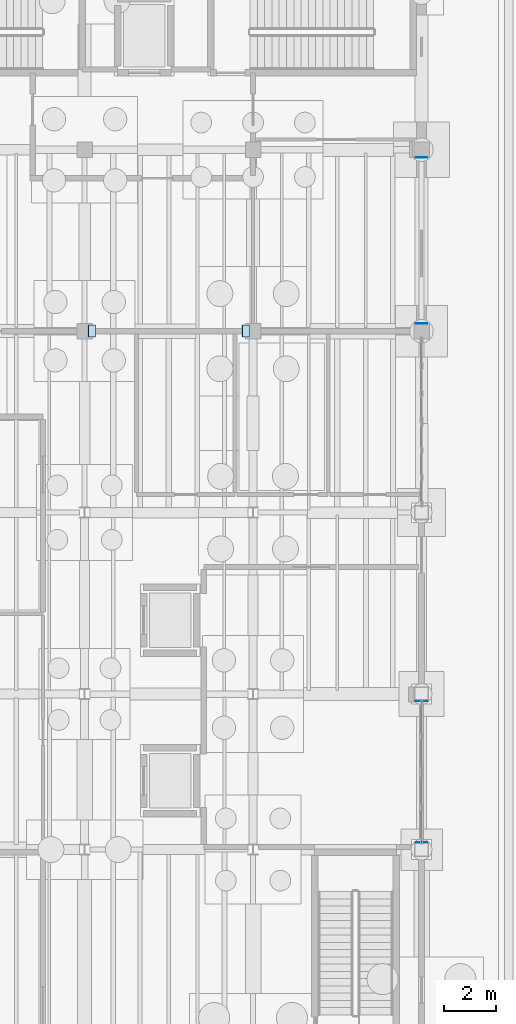
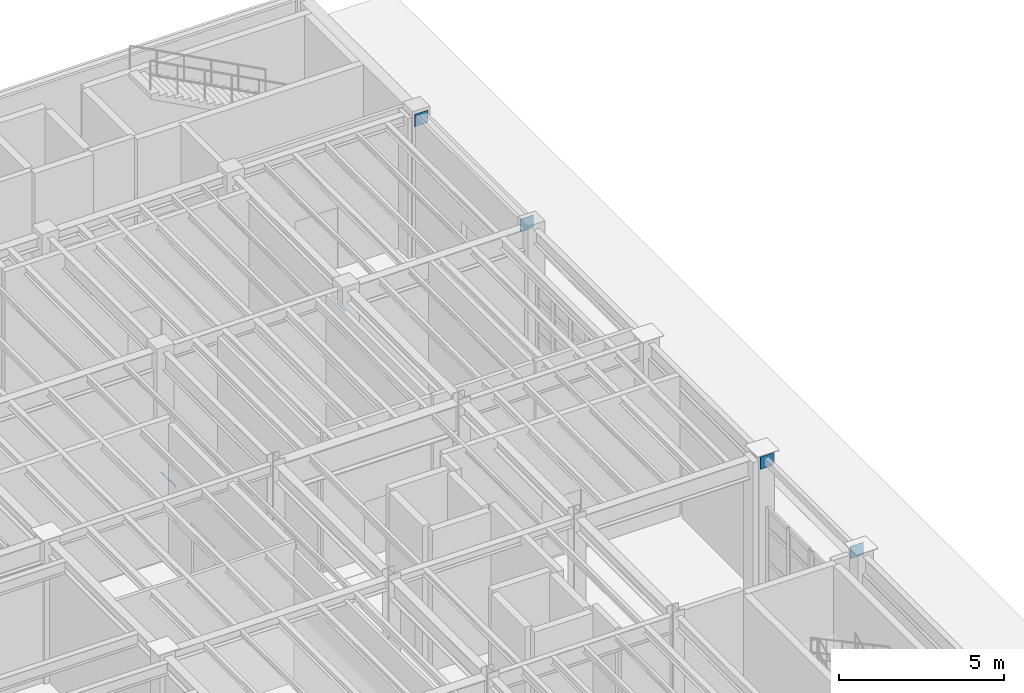
# One storey, part 57 of 86: 6 plates.
"""IFC4 building model written with IfcOpenShell, lengths in metres."""

from ifc_helpers import new_model, si_unit, direction, frame, origin, origin_2d, place, context, subcontext, project, spatial, rectangle, extrude, material, material_profile, profile_set, type_object, element, save


model = new_model("IFC4")

# Units and contexts
model_context = context("Model", 3, precision=1e-05, world=origin(), true_north=direction((0.0, 1.0)))
body_context = subcontext(model_context, "Body", "Model", "MODEL_VIEW")
ifc_project = project(units=[si_unit("LENGTHUNIT", "METRE"), si_unit("AREAUNIT", "SQUARE_METRE"), si_unit("VOLUMEUNIT", "CUBIC_METRE"), si_unit("PLANEANGLEUNIT", "RADIAN"), si_unit("MASSUNIT", "GRAM", prefix="KILO"), si_unit("THERMODYNAMICTEMPERATUREUNIT", "KELVIN"), si_unit("POWERUNIT", "WATT")], contexts=[model_context])

# Site, building, storey
site_placement = place(None, origin())
site = spatial("IfcSite", under=ifc_project, at=site_placement, CompositionType="ELEMENT")
building_placement = place(site_placement, origin())
building = spatial("IfcBuilding", under=site, at=building_placement, Name="Zhenchuan Central Fire Station", CompositionType="ELEMENT")
storey_placement = place(building_placement, frame((0.0, 0.0, 0.449951171875)))
storey = spatial("IfcBuildingStorey", under=building, at=storey_placement, Name="L01", CompositionType="ELEMENT", Elevation=0.449951171875)

# Plates
ifc_material = material(Name="Steel Q355B", Category="steel")
ifc_material_profile_1 = material_profile(ifc_material, rectangle(XDim=0.4599609375, YDim=0.4599609375, at=origin_2d()), Name="PL 460x460x28")
ifc_profile_set_1 = profile_set([ifc_material_profile_1], Name="Steel Q355B")
plate_type_1 = type_object("IfcPlateType", Name="PL-GUS28", PredefinedType="SHEET", material=ifc_profile_set_1)
for number, where, z_axis, x_axis, name in (
    (1, (161.0, 22.759033203125, 5.074951171875), (0.0, 1.0, 0.0), (-1.0, 0.0, 0.0), "L02 Girder NS 0178 end cap plate A"),
    (2, (161.0, 28.220947265625, 5.074951171875), (0.0, 1.0, 0.0), (-1.0, 0.0, 0.0), "L02 Girder NS 0178 end cap plate B"),
    (3, (161.0, 42.783935546875, 5.050048828125), (0.0, 1.0, 0.0), (-1.0, 0.0, 0.0), "L02 Girder NS 0181 end cap plate A"),
    (4, (161.0, 49.196044921875, 5.050048828125), (0.0, 1.0, 0.0), (-1.0, 0.0, 0.0), "L02 Girder NS 0181 end cap plate B"),
):
    element("IfcPlate", number, at=place(storey_placement, frame(where, z_axis=z_axis, x_axis=x_axis)), inside=storey, type_object=plate_type_1, Name=name, PredefinedType="SHEET", context=body_context, shape_type="SweptSolid", body=[
        extrude(rectangle(XDim=0.4599609375, YDim=0.4599609375, at=origin_2d()), origin(), (0.0, 0.0, 1.0), 0.02001953125),
    ])
ifc_material_profile_2 = material_profile(ifc_material, rectangle(XDim=0.4599609375, YDim=0.4599609375, at=origin_2d()), Name="PL 460x460x28")
ifc_profile_set_2 = profile_set([ifc_material_profile_2], Name="Steel Q355B")
plate_type_2 = type_object("IfcPlateType", Name="PL-GUS28-INT", PredefinedType="SHEET", material=ifc_profile_set_2)
for number, where, z_axis, x_axis, name in (
    (5, (148.26513671875, 42.5, 0.1904296875), (0.802910201746, 0.0, 0.596099998266), (0.0, 1.0, 0.0), "Interior Frame Lateral Brace 06 end cap plate A"),
    (6, (154.21875, 42.5, 4.59765625), (0.802910201746, 0.0, 0.596099998266), (0.0, 1.0, 0.0), "Interior Frame Lateral Brace 06 end cap plate B"),
):
    element("IfcPlate", number, at=place(storey_placement, frame(where, z_axis=z_axis, x_axis=x_axis)), inside=storey, type_object=plate_type_2, Name=name, PredefinedType="SHEET", context=body_context, shape_type="SweptSolid", body=[
        extrude(rectangle(XDim=0.4599609375, YDim=0.4599609375, at=origin_2d()), origin(), (0.0, 0.0, 1.0), 0.02001953125),
    ])

save(model, "model.ifc")
